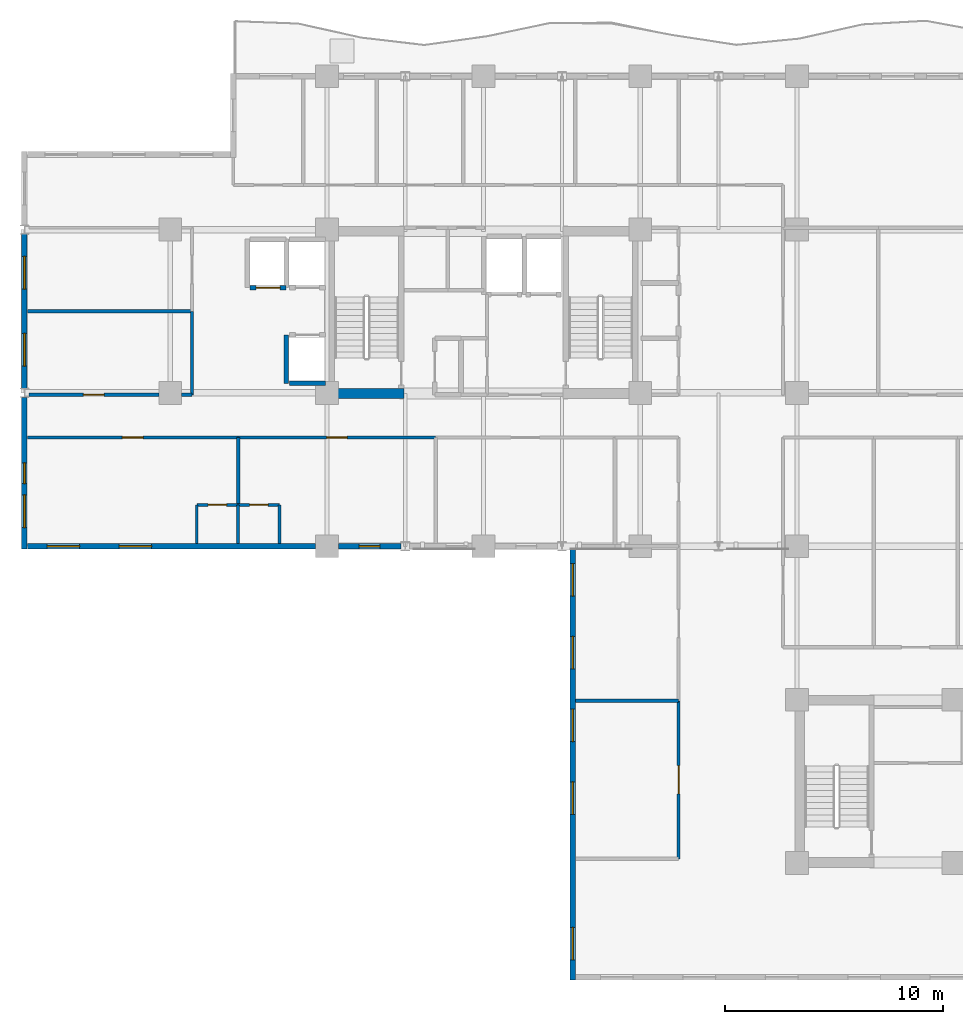
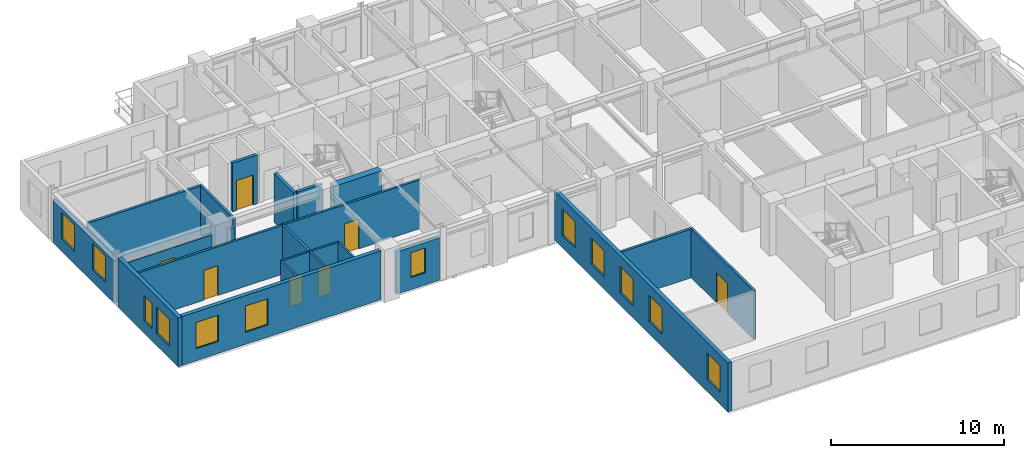
# One storey, part 4 of 13: 23 walls, 12 windows, 7 doors, 19 openings.
"""IFC4 building model written with IfcOpenShell, lengths in metres."""

from ifc_helpers import new_model, si_unit, direction, frame, frame_2d, origin, place, context, subcontext, project, spatial, rectangle, extrude, material, layer, layer_set, type_object, element, fill, save


model = new_model("IFC4")

# Units and contexts
model_context = context("Model", 3, precision=1e-05, world=origin(), true_north=direction((0.0, 1.0)))
body_context = subcontext(model_context, "Body", "Model", "MODEL_VIEW")
ifc_project = project(units=[si_unit("LENGTHUNIT", "METRE"), si_unit("AREAUNIT", "SQUARE_METRE"), si_unit("VOLUMEUNIT", "CUBIC_METRE"), si_unit("PLANEANGLEUNIT", "RADIAN"), si_unit("MASSUNIT", "GRAM", prefix="KILO")], contexts=[model_context])

# Site, building, storey
site_placement = place(None, origin())
site = spatial("IfcSite", under=ifc_project, at=site_placement, CompositionType="ELEMENT")
building_placement = place(site_placement, origin())
building = spatial("IfcBuilding", under=site, at=building_placement, Name="Kaliganga Portal Commons", CompositionType="ELEMENT")
storey_placement = place(building_placement, frame((0.0, 0.0, 173.5)))
storey = spatial("IfcBuildingStorey", under=building, at=storey_placement, Name="L44", CompositionType="ELEMENT", Elevation=173.5)

# Wall
ifc_material_1 = material(Name="Concrete C60/75", Category="concrete")
ifc_layer_1 = layer(ifc_material_1, 0.449951171875)
ifc_layer_set_1 = layer_set([ifc_layer_1], Name="Concrete C60/75")
wall_type_1 = type_object("IfcWallType", Name="WL-CORE-450", PredefinedType="SHEAR", material=ifc_layer_set_1)
wall_1_placement = place(storey_placement, frame((14.75, 28.625, 0.0), z_axis=(0.0, 0.0, 1.0), x_axis=(1.0, 0.0, 0.0)))
element("IfcWall", 1, at=wall_1_placement, inside=storey, type_object=wall_type_1, Name="Core A S-West Shear Wall L44", PredefinedType="SHEAR", context=body_context, shape_type="SweptSolid", body=[
    extrude(rectangle(XDim=3.199951171875, YDim=0.449951171875, at=frame_2d((1.60009765625, 0.0))), origin(), (0.0, 0.0, 1.0), 3.4599609375),
])

# Wall, openings, windows
ifc_material_2 = material(Name="Insulated Aluminium-Clad Spandrel Assembly", Category="aluminium")
ifc_layer_2 = layer(ifc_material_2, 0.260009765625)
ifc_layer_set_2 = layer_set([ifc_layer_2], Name="Insulated Aluminium-Clad Spandrel Assembly")
wall_type_2 = type_object("IfcWallType", Name="WL-EXT-SPAND-260", PredefinedType="STANDARD", material=ifc_layer_set_2)
wall_2_placement = place(storey_placement, frame((0.5, 28.85791015625, 0.0), z_axis=(0.0, 0.0, 1.0), x_axis=(0.0, 1.0, 0.0)))
wall_2 = element("IfcWall", 2, at=wall_2_placement, inside=storey, type_object=wall_type_2, Name="Exterior Envelope Wall L44 P1-E09-S2", PredefinedType="STANDARD", context=body_context, shape_type="SweptSolid", body=[
    extrude(rectangle(XDim=7.083984375, YDim=0.260009765625, at=frame_2d((3.5419921875, 0.0))), origin(), (0.0, 0.0, 1.0), 2.989990234375),
])
opening_1_placement = place(wall_2_placement, frame((1.02099609375, 0.0, 0.85009765625)))
opening_1 = element("IfcOpeningElement", 3, at=opening_1_placement, cuts=wall_2, Name="Opening W-02", PredefinedType="OPENING", context=body_context, shape_type="SweptSolid", body=[
    extrude(rectangle(XDim=1.5, YDim=1.85009765625, at=frame_2d((0.75, 0.925048828125))), frame((0.0, 0.14013671875, 0.0), z_axis=(0.0, -1.0, 0.0), x_axis=(1.0, 0.0, 0.0)), (0.0, 0.0, 1.0), 0.280029296875),
])
opening_2_placement = place(wall_2_placement, frame((4.56298828125, 0.0, 0.85009765625)))
opening_2 = element("IfcOpeningElement", 4, at=opening_2_placement, cuts=wall_2, Name="Opening W-02", PredefinedType="OPENING", context=body_context, shape_type="SweptSolid", body=[
    extrude(rectangle(XDim=1.5, YDim=1.85009765625, at=frame_2d((0.75, 0.925048828125))), frame((0.0, 0.14013671875, 0.0), z_axis=(0.0, -1.0, 0.0), x_axis=(1.0, 0.0, 0.0)), (0.0, 0.0, 1.0), 0.280029296875),
])
ifc_material_3 = material(Name="Thermally Broken Aluminium and Low-E Double Glazing", Category="aluminium")
window_type_1 = type_object("IfcWindowType", Name="WIN-STD-1500", PartitioningType="DOUBLE_PANEL_VERTICAL", PredefinedType="WINDOW", material=ifc_material_3)
window_1_placement = place(opening_1_placement, origin())
window_1 = element("IfcWindow", 5, at=window_1_placement, inside=storey, type_object=window_type_1, Name="Facade Window L44-P1E09S2-00", OverallHeight=1.85009765625, OverallWidth=1.5, PartitioningType="SINGLE_PANEL", PredefinedType="WINDOW", context=body_context, shape_type="SweptSolid", body=[
    extrude(rectangle(XDim=1.5, YDim=1.85009765625, at=frame_2d((0.75, 0.925048828125))), frame((0.0, 0.030029296875, 0.0), z_axis=(0.0, -1.0, 0.0), x_axis=(1.0, 0.0, 0.0)), (0.0, 0.0, 1.0), 0.06005859375),
])
fill(opening_1, window_1)
window_2_placement = place(opening_2_placement, origin())
window_2 = element("IfcWindow", 6, at=window_2_placement, inside=storey, type_object=window_type_1, Name="Facade Window L44-P1E09S2-01", OverallHeight=1.85009765625, OverallWidth=1.5, PartitioningType="SINGLE_PANEL", PredefinedType="WINDOW", context=body_context, shape_type="SweptSolid", body=[
    extrude(rectangle(XDim=1.5, YDim=1.85009765625, at=frame_2d((0.75, 0.925048828125))), frame((0.0, 0.030029296875, 0.0), z_axis=(0.0, -1.0, 0.0), x_axis=(1.0, 0.0, 0.0)), (0.0, 0.0, 1.0), 0.06005859375),
])
fill(opening_2, window_2)

wall_3_placement = place(storey_placement, frame((0.5, 21.469970703125, 0.0), z_axis=(0.0, 0.0, 1.0), x_axis=(0.0, 1.0, 0.0)))
wall_3 = element("IfcWall", 7, at=wall_3_placement, inside=storey, type_object=wall_type_2, Name="Exterior Envelope Wall L44 P1-E09-S3", PredefinedType="STANDARD", context=body_context, shape_type="SweptSolid", body=[
    extrude(rectangle(XDim=6.971923828125, YDim=0.260009765625, at=frame_2d((3.48583984375, 0.0))), origin(), (0.0, 0.0, 1.0), 3.43994140625),
])
opening_3_placement = place(wall_3_placement, frame((0.992919921875, 0.0, 0.85009765625)))
opening_3 = element("IfcOpeningElement", 8, at=opening_3_placement, cuts=wall_3, Name="Opening W-02", PredefinedType="OPENING", context=body_context, shape_type="SweptSolid", body=[
    extrude(rectangle(XDim=1.5, YDim=1.85009765625, at=frame_2d((0.75, 0.925048828125))), frame((0.0, 0.14013671875, 0.0), z_axis=(0.0, -1.0, 0.0), x_axis=(1.0, 0.0, 0.0)), (0.0, 0.0, 1.0), 0.280029296875),
])
opening_4_placement = place(wall_3_placement, frame((3.010986328125, 0.0, 0.85009765625)))
opening_4 = element("IfcOpeningElement", 9, at=opening_4_placement, cuts=wall_3, Name="Opening W-04", PredefinedType="OPENING", context=body_context, shape_type="SweptSolid", body=[
    extrude(rectangle(XDim=0.949951171875, YDim=1.75, at=frame_2d((0.47509765625, 0.875))), frame((0.0, 0.14013671875, 0.0), z_axis=(0.0, -1.0, 0.0), x_axis=(1.0, 0.0, 0.0)), (0.0, 0.0, 1.0), 0.280029296875),
])
window_type_2 = type_object("IfcWindowType", Name="WIN-NARROW-950", PartitioningType="SINGLE_PANEL", PredefinedType="WINDOW", material=ifc_material_3)
window_3_placement = place(opening_4_placement, origin())
window_3 = element("IfcWindow", 10, at=window_3_placement, inside=storey, type_object=window_type_2, Name="Facade Window L44-P1E09S3-N0", OverallHeight=1.75, OverallWidth=0.949951171875, PartitioningType="SINGLE_PANEL", PredefinedType="WINDOW", context=body_context, shape_type="SweptSolid", body=[
    extrude(rectangle(XDim=0.949951171875, YDim=1.75, at=frame_2d((0.47509765625, 0.875))), frame((0.0, 0.030029296875, 0.0), z_axis=(0.0, -1.0, 0.0), x_axis=(1.0, 0.0, 0.0)), (0.0, 0.0, 1.0), 0.06005859375),
])
fill(opening_4, window_3)
window_4_placement = place(opening_3_placement, origin())
window_4 = element("IfcWindow", 11, at=window_4_placement, inside=storey, type_object=window_type_1, Name="Facade Window L44-P1E09S3-00", OverallHeight=1.85009765625, OverallWidth=1.5, PartitioningType="SINGLE_PANEL", PredefinedType="WINDOW", context=body_context, shape_type="SweptSolid", body=[
    extrude(rectangle(XDim=1.5, YDim=1.85009765625, at=frame_2d((0.75, 0.925048828125))), frame((0.0, 0.030029296875, 0.0), z_axis=(0.0, -1.0, 0.0), x_axis=(1.0, 0.0, 0.0)), (0.0, 0.0, 1.0), 0.06005859375),
])
fill(opening_3, window_4)

wall_4_placement = place(storey_placement, frame((13.8740234375, 21.60009765625, 0.0), z_axis=(0.0, 0.0, 1.0), x_axis=(-1.0, 0.0, 0.0)))
wall_4 = element("IfcWall", 12, at=wall_4_placement, inside=storey, type_object=wall_type_2, Name="Exterior Envelope Wall L44 P1-E10-S1", PredefinedType="STANDARD", context=body_context, shape_type="SweptSolid", body=[
    extrude(rectangle(XDim=13.239013671875, YDim=0.260009765625, at=frame_2d((6.61962890625, 0.0))), origin(), (0.0, 0.0, 1.0), 3.43994140625),
])
opening_5_placement = place(wall_4_placement, frame((7.5244140625, 0.0, 0.85009765625)))
opening_5 = element("IfcOpeningElement", 13, at=opening_5_placement, cuts=wall_4, Name="Opening W-02", PredefinedType="OPENING", context=body_context, shape_type="SweptSolid", body=[
    extrude(rectangle(XDim=1.5, YDim=1.85009765625, at=frame_2d((0.75, 0.925048828125))), frame((0.0, 0.14013671875, 0.0), z_axis=(0.0, -1.0, 0.0), x_axis=(1.0, 0.0, 0.0)), (0.0, 0.0, 1.0), 0.280029296875),
])
opening_6_placement = place(wall_4_placement, frame((10.833984375, 0.0, 0.85009765625)))
opening_6 = element("IfcOpeningElement", 14, at=opening_6_placement, cuts=wall_4, Name="Opening W-02", PredefinedType="OPENING", context=body_context, shape_type="SweptSolid", body=[
    extrude(rectangle(XDim=1.5, YDim=1.85009765625, at=frame_2d((0.75, 0.925048828125))), frame((0.0, 0.14013671875, 0.0), z_axis=(0.0, -1.0, 0.0), x_axis=(1.0, 0.0, 0.0)), (0.0, 0.0, 1.0), 0.280029296875),
])
window_5_placement = place(opening_5_placement, origin())
window_5 = element("IfcWindow", 15, at=window_5_placement, inside=storey, type_object=window_type_1, Name="Facade Window L44-P1E10S1-02", OverallHeight=1.85009765625, OverallWidth=1.5, PartitioningType="SINGLE_PANEL", PredefinedType="WINDOW", context=body_context, shape_type="SweptSolid", body=[
    extrude(rectangle(XDim=1.5, YDim=1.85009765625, at=frame_2d((0.75, 0.925048828125))), frame((0.0, 0.030029296875, 0.0), z_axis=(0.0, -1.0, 0.0), x_axis=(1.0, 0.0, 0.0)), (0.0, 0.0, 1.0), 0.06005859375),
])
fill(opening_5, window_5)
window_6_placement = place(opening_6_placement, origin())
window_6 = element("IfcWindow", 16, at=window_6_placement, inside=storey, type_object=window_type_1, Name="Facade Window L44-P1E10S1-03", OverallHeight=1.85009765625, OverallWidth=1.5, PartitioningType="SINGLE_PANEL", PredefinedType="WINDOW", context=body_context, shape_type="SweptSolid", body=[
    extrude(rectangle(XDim=1.5, YDim=1.85009765625, at=frame_2d((0.75, 0.925048828125))), frame((0.0, 0.030029296875, 0.0), z_axis=(0.0, -1.0, 0.0), x_axis=(1.0, 0.0, 0.0)), (0.0, 0.0, 1.0), 0.06005859375),
])
fill(opening_6, window_6)

# Wall, opening, window
wall_5_placement = place(storey_placement, frame((17.797119140625, 21.60009765625, 0.0), z_axis=(0.0, 0.0, 1.0), x_axis=(-1.0, 0.0, 0.0)))
wall_5 = element("IfcWall", 17, at=wall_5_placement, inside=storey, type_object=wall_type_2, Name="Exterior Envelope Wall L44 P1-E10-S2", PredefinedType="STANDARD", context=body_context, shape_type="SweptSolid", body=[
    extrude(rectangle(XDim=2.87109375, YDim=0.260009765625, at=frame_2d((1.435546875, 0.0))), origin(), (0.0, 0.0, 1.0), 2.989990234375),
])
opening_7_placement = place(wall_5_placement, frame((0.96044921875, 0.0, 0.85009765625)))
opening_7 = element("IfcOpeningElement", 18, at=opening_7_placement, cuts=wall_5, Name="Opening W-04", PredefinedType="OPENING", context=body_context, shape_type="SweptSolid", body=[
    extrude(rectangle(XDim=0.949951171875, YDim=1.75, at=frame_2d((0.47509765625, 0.875))), frame((0.0, 0.14013671875, 0.0), z_axis=(0.0, -1.0, 0.0), x_axis=(1.0, 0.0, 0.0)), (0.0, 0.0, 1.0), 0.280029296875),
])
window_7_placement = place(opening_7_placement, origin())
window_7 = element("IfcWindow", 19, at=window_7_placement, inside=storey, type_object=window_type_2, Name="Facade Window L44-P1E10S2-00", OverallHeight=1.75, OverallWidth=0.949951171875, PartitioningType="SINGLE_PANEL", PredefinedType="WINDOW", context=body_context, shape_type="SweptSolid", body=[
    extrude(rectangle(XDim=0.949951171875, YDim=1.75, at=frame_2d((0.47509765625, 0.875))), frame((0.0, 0.030029296875, 0.0), z_axis=(0.0, -1.0, 0.0), x_axis=(1.0, 0.0, 0.0)), (0.0, 0.0, 1.0), 0.06005859375),
])
fill(opening_7, window_7)

# Wall, openings, windows
wall_6_placement = place(storey_placement, frame((25.699951171875, 1.669921875, 0.0), z_axis=(0.0, 0.0, 1.0), x_axis=(0.0, 1.0, 0.0)))
wall_6 = element("IfcWall", 20, at=wall_6_placement, inside=storey, type_object=wall_type_2, Name="Exterior Envelope Wall L44 P1-E11-S1", PredefinedType="STANDARD", context=body_context, shape_type="SweptSolid", body=[
    extrude(rectangle(XDim=20.06005859375, YDim=0.260009765625, at=frame_2d((10.030029296875, 0.0))), origin(), (0.0, 0.0, 1.0), 3.43994140625),
])
opening_8_placement = place(wall_6_placement, frame((0.921630859375, 0.0, 0.85009765625)))
opening_8 = element("IfcOpeningElement", 21, at=opening_8_placement, cuts=wall_6, Name="Opening W-02", PredefinedType="OPENING", context=body_context, shape_type="SweptSolid", body=[
    extrude(rectangle(XDim=1.5, YDim=1.85009765625, at=frame_2d((0.75, 0.925048828125))), frame((0.0, 0.14013671875, 0.0), z_axis=(0.0, -1.0, 0.0), x_axis=(1.0, 0.0, 0.0)), (0.0, 0.0, 1.0), 0.280029296875),
])
opening_9_placement = place(wall_6_placement, frame((7.6083984375, 0.0, 0.85009765625)))
opening_9 = element("IfcOpeningElement", 22, at=opening_9_placement, cuts=wall_6, Name="Opening W-02", PredefinedType="OPENING", context=body_context, shape_type="SweptSolid", body=[
    extrude(rectangle(XDim=1.5, YDim=1.85009765625, at=frame_2d((0.75, 0.925048828125))), frame((0.0, 0.14013671875, 0.0), z_axis=(0.0, -1.0, 0.0), x_axis=(1.0, 0.0, 0.0)), (0.0, 0.0, 1.0), 0.280029296875),
])
opening_10_placement = place(wall_6_placement, frame((10.95166015625, 0.0, 0.85009765625)))
opening_10 = element("IfcOpeningElement", 23, at=opening_10_placement, cuts=wall_6, Name="Opening W-02", PredefinedType="OPENING", context=body_context, shape_type="SweptSolid", body=[
    extrude(rectangle(XDim=1.5, YDim=1.85009765625, at=frame_2d((0.75, 0.925048828125))), frame((0.0, 0.14013671875, 0.0), z_axis=(0.0, -1.0, 0.0), x_axis=(1.0, 0.0, 0.0)), (0.0, 0.0, 1.0), 0.280029296875),
])
opening_11_placement = place(wall_6_placement, frame((14.294921875, 0.0, 0.85009765625)))
opening_11 = element("IfcOpeningElement", 24, at=opening_11_placement, cuts=wall_6, Name="Opening W-02", PredefinedType="OPENING", context=body_context, shape_type="SweptSolid", body=[
    extrude(rectangle(XDim=1.5, YDim=1.85009765625, at=frame_2d((0.75, 0.925048828125))), frame((0.0, 0.14013671875, 0.0), z_axis=(0.0, -1.0, 0.0), x_axis=(1.0, 0.0, 0.0)), (0.0, 0.0, 1.0), 0.280029296875),
])
opening_12_placement = place(wall_6_placement, frame((17.63818359375, 0.0, 0.85009765625)))
opening_12 = element("IfcOpeningElement", 25, at=opening_12_placement, cuts=wall_6, Name="Opening W-02", PredefinedType="OPENING", context=body_context, shape_type="SweptSolid", body=[
    extrude(rectangle(XDim=1.5, YDim=1.85009765625, at=frame_2d((0.75, 0.925048828125))), frame((0.0, 0.14013671875, 0.0), z_axis=(0.0, -1.0, 0.0), x_axis=(1.0, 0.0, 0.0)), (0.0, 0.0, 1.0), 0.280029296875),
])
window_8_placement = place(opening_8_placement, origin())
window_8 = element("IfcWindow", 26, at=window_8_placement, inside=storey, type_object=window_type_1, Name="Facade Window L44-P1E11S1-00", OverallHeight=1.85009765625, OverallWidth=1.5, PartitioningType="SINGLE_PANEL", PredefinedType="WINDOW", context=body_context, shape_type="SweptSolid", body=[
    extrude(rectangle(XDim=1.5, YDim=1.85009765625, at=frame_2d((0.75, 0.925048828125))), frame((0.0, 0.030029296875, 0.0), z_axis=(0.0, -1.0, 0.0), x_axis=(1.0, 0.0, 0.0)), (0.0, 0.0, 1.0), 0.06005859375),
])
fill(opening_8, window_8)
window_9_placement = place(opening_9_placement, origin())
window_9 = element("IfcWindow", 27, at=window_9_placement, inside=storey, type_object=window_type_1, Name="Facade Window L44-P1E11S1-02", OverallHeight=1.85009765625, OverallWidth=1.5, PartitioningType="SINGLE_PANEL", PredefinedType="WINDOW", context=body_context, shape_type="SweptSolid", body=[
    extrude(rectangle(XDim=1.5, YDim=1.85009765625, at=frame_2d((0.75, 0.925048828125))), frame((0.0, 0.030029296875, 0.0), z_axis=(0.0, -1.0, 0.0), x_axis=(1.0, 0.0, 0.0)), (0.0, 0.0, 1.0), 0.06005859375),
])
fill(opening_9, window_9)
window_10_placement = place(opening_10_placement, origin())
window_10 = element("IfcWindow", 28, at=window_10_placement, inside=storey, type_object=window_type_1, Name="Facade Window L44-P1E11S1-03", OverallHeight=1.85009765625, OverallWidth=1.5, PartitioningType="SINGLE_PANEL", PredefinedType="WINDOW", context=body_context, shape_type="SweptSolid", body=[
    extrude(rectangle(XDim=1.5, YDim=1.85009765625, at=frame_2d((0.75, 0.925048828125))), frame((0.0, 0.030029296875, 0.0), z_axis=(0.0, -1.0, 0.0), x_axis=(1.0, 0.0, 0.0)), (0.0, 0.0, 1.0), 0.06005859375),
])
fill(opening_10, window_10)
window_11_placement = place(opening_11_placement, origin())
window_11 = element("IfcWindow", 29, at=window_11_placement, inside=storey, type_object=window_type_1, Name="Facade Window L44-P1E11S1-04", OverallHeight=1.85009765625, OverallWidth=1.5, PartitioningType="SINGLE_PANEL", PredefinedType="WINDOW", context=body_context, shape_type="SweptSolid", body=[
    extrude(rectangle(XDim=1.5, YDim=1.85009765625, at=frame_2d((0.75, 0.925048828125))), frame((0.0, 0.030029296875, 0.0), z_axis=(0.0, -1.0, 0.0), x_axis=(1.0, 0.0, 0.0)), (0.0, 0.0, 1.0), 0.06005859375),
])
fill(opening_11, window_11)
window_12_placement = place(opening_12_placement, origin())
window_12 = element("IfcWindow", 30, at=window_12_placement, inside=storey, type_object=window_type_1, Name="Facade Window L44-P1E11S1-05", OverallHeight=1.85009765625, OverallWidth=1.5, PartitioningType="SINGLE_PANEL", PredefinedType="WINDOW", context=body_context, shape_type="SweptSolid", body=[
    extrude(rectangle(XDim=1.5, YDim=1.85009765625, at=frame_2d((0.75, 0.925048828125))), frame((0.0, 0.030029296875, 0.0), z_axis=(0.0, -1.0, 0.0), x_axis=(1.0, 0.0, 0.0)), (0.0, 0.0, 1.0), 0.06005859375),
])
fill(opening_12, window_12)

# Wall, opening, door
ifc_material_4 = material(Name="Fire-Rated Gypsum Board on Steel Stud", Category="steel")
ifc_layer_3 = layer(ifc_material_4, 0.14990234375)
ifc_layer_set_3 = layer_set([ifc_layer_3], Name="Fire-Rated Gypsum Board on Steel Stud")
wall_type_3 = type_object("IfcWallType", Name="WL-PART-CORR-150", PredefinedType="PARTITIONING", material=ifc_layer_set_3)
wall_7_placement = place(storey_placement, frame((0.632080078125, 26.60009765625, 0.0), z_axis=(0.0, 0.0, 1.0), x_axis=(1.0, 0.0, 0.0)))
wall_7 = element("IfcWall", 31, at=wall_7_placement, inside=storey, type_object=wall_type_3, Name="Interior Partition L44-006", PredefinedType="PARTITIONING", context=body_context, shape_type="SweptSolid", body=[
    extrude(rectangle(XDim=9.68798828125, YDim=0.14990234375, at=frame_2d((4.843994140625, 0.0))), origin(), (0.0, 0.0, 1.0), 3.43994140625),
])
opening_13_placement = place(wall_7_placement, frame((4.368896484375, 0.0, 0.0)))
opening_13 = element("IfcOpeningElement", 32, at=opening_13_placement, cuts=wall_7, Name="Opening UD-01", PredefinedType="OPENING", context=body_context, shape_type="SweptSolid", body=[
    extrude(rectangle(XDim=0.949951171875, YDim=2.10009765625, at=frame_2d((0.47509765625, 1.050048828125))), frame((0.0, 0.0849609375, 0.0), z_axis=(0.0, -1.0, 0.0), x_axis=(1.0, 0.0, 0.0)), (0.0, 0.0, 1.0), 0.169921875),
])
ifc_material_5 = material(Name="Solid-Core Timber Acoustic Fire Door", Category="wood")
door_type_1 = type_object("IfcDoorType", Name="DR-UNIT-950", OperationType="NOTDEFINED", PredefinedType="DOOR", material=ifc_material_5)
door_1_placement = place(opening_13_placement, origin())
door_1 = element("IfcDoor", 33, at=door_1_placement, inside=storey, type_object=door_type_1, Name="Interior Door L44-AS01", OperationType="SINGLE_SWING_LEFT", OverallHeight=2.10009765625, OverallWidth=0.949951171875, PredefinedType="DOOR", context=body_context, shape_type="SweptSolid", body=[
    extrude(rectangle(XDim=0.949951171875, YDim=2.10009765625, at=frame_2d((0.47509765625, 1.050048828125))), frame((0.0, 0.02490234375, 0.0), z_axis=(0.0, -1.0, 0.0), x_axis=(1.0, 0.0, 0.0)), (0.0, 0.0, 1.0), 0.050048828125),
])
fill(opening_13, door_1)

wall_8_placement = place(storey_placement, frame((10.320068359375, 26.60009765625, 0.0), z_axis=(0.0, 0.0, 1.0), x_axis=(1.0, 0.0, 0.0)))
wall_8 = element("IfcWall", 34, at=wall_8_placement, inside=storey, type_object=wall_type_3, Name="Interior Partition L44-008", PredefinedType="PARTITIONING", context=body_context, shape_type="SweptSolid", body=[
    extrude(rectangle(XDim=9.079833984375, YDim=0.14990234375, at=frame_2d((4.5400390625, 0.0))), origin(), (0.0, 0.0, 1.0), 3.43994140625),
])
opening_14_placement = place(wall_8_placement, frame((4.06494140625, 0.0, 0.0)))
opening_14 = element("IfcOpeningElement", 35, at=opening_14_placement, cuts=wall_8, Name="Opening UD-01", PredefinedType="OPENING", context=body_context, shape_type="SweptSolid", body=[
    extrude(rectangle(XDim=0.949951171875, YDim=2.10009765625, at=frame_2d((0.47509765625, 1.050048828125))), frame((0.0, 0.0849609375, 0.0), z_axis=(0.0, -1.0, 0.0), x_axis=(1.0, 0.0, 0.0)), (0.0, 0.0, 1.0), 0.169921875),
])
door_2_placement = place(opening_14_placement, origin())
door_2 = element("IfcDoor", 36, at=door_2_placement, inside=storey, type_object=door_type_1, Name="Interior Door L44-AS02", OperationType="SINGLE_SWING_LEFT", OverallHeight=2.10009765625, OverallWidth=0.949951171875, PredefinedType="DOOR", context=body_context, shape_type="SweptSolid", body=[
    extrude(rectangle(XDim=0.949951171875, YDim=2.10009765625, at=frame_2d((0.47509765625, 1.050048828125))), frame((0.0, 0.02490234375, 0.0), z_axis=(0.0, -1.0, 0.0), x_axis=(1.0, 0.0, 0.0)), (0.0, 0.0, 1.0), 0.050048828125),
])
fill(opening_14, door_2)

wall_9_placement = place(storey_placement, frame((0.701904296875, 28.56005859375, 0.0), z_axis=(0.0, 0.0, 1.0), x_axis=(1.0, 0.0, 0.0)))
wall_9 = element("IfcWall", 37, at=wall_9_placement, inside=storey, type_object=wall_type_3, Name="Interior Partition L44-010", PredefinedType="PARTITIONING", context=body_context, shape_type="SweptSolid", body=[
    extrude(rectangle(XDim=5.97314453125, YDim=0.14990234375, at=frame_2d((2.986572265625, 0.0))), origin(), (0.0, 0.0, 1.0), 2.840087890625),
])
opening_15_placement = place(wall_9_placement, frame((2.511474609375, 0.0, 0.0)))
opening_15 = element("IfcOpeningElement", 38, at=opening_15_placement, cuts=wall_9, Name="Opening UD-01", PredefinedType="OPENING", context=body_context, shape_type="SweptSolid", body=[
    extrude(rectangle(XDim=0.949951171875, YDim=2.10009765625, at=frame_2d((0.47509765625, 1.050048828125))), frame((0.0, 0.0849609375, 0.0), z_axis=(0.0, -1.0, 0.0), x_axis=(1.0, 0.0, 0.0)), (0.0, 0.0, 1.0), 0.169921875),
])
door_3_placement = place(opening_15_placement, origin())
door_3 = element("IfcDoor", 39, at=door_3_placement, inside=storey, type_object=door_type_1, Name="Interior Door L44-AW01", OperationType="SINGLE_SWING_LEFT", OverallHeight=2.10009765625, OverallWidth=0.949951171875, PredefinedType="DOOR", context=body_context, shape_type="SweptSolid", body=[
    extrude(rectangle(XDim=0.949951171875, YDim=2.10009765625, at=frame_2d((0.47509765625, 1.050048828125))), frame((0.0, 0.02490234375, 0.0), z_axis=(0.0, -1.0, 0.0), x_axis=(1.0, 0.0, 0.0)), (0.0, 0.0, 1.0), 0.050048828125),
])
fill(opening_15, door_3)

# Wall
wall_10_placement = place(storey_placement, frame((7.72509765625, 28.56005859375, 0.0), z_axis=(0.0, 0.0, 1.0), x_axis=(1.0, 0.0, 0.0)))
element("IfcWall", 40, at=wall_10_placement, inside=storey, type_object=wall_type_3, Name="Interior Partition L44-011", PredefinedType="PARTITIONING", context=body_context, shape_type="SweptSolid", body=[
    extrude(rectangle(XDim=0.474853515625, YDim=0.14990234375, at=frame_2d((0.2373046875, 0.0))), origin(), (0.0, 0.0, 1.0), 2.840087890625),
])

# Wall, opening, door
wall_11_placement = place(storey_placement, frame((30.56005859375, 7.239990234375, 0.0), z_axis=(0.0, 0.0, 1.0), x_axis=(0.0, 1.0, 0.0)))
wall_11 = element("IfcWall", 41, at=wall_11_placement, inside=storey, type_object=wall_type_3, Name="Interior Partition L44-013", PredefinedType="PARTITIONING", context=body_context, shape_type="SweptSolid", body=[
    extrude(rectangle(XDim=7.260009765625, YDim=0.14990234375, at=frame_2d((3.6298828125, 0.0))), origin(), (0.0, 0.0, 1.0), 3.43994140625),
])
opening_16_placement = place(wall_11_placement, frame((2.97998046875, 0.0, 0.0)))
opening_16 = element("IfcOpeningElement", 42, at=opening_16_placement, cuts=wall_11, Name="Opening RD-03", PredefinedType="OPENING", context=body_context, shape_type="SweptSolid", body=[
    extrude(rectangle(XDim=1.300048828125, YDim=2.1201171875, at=frame_2d((0.64990234375, 1.06005859375))), frame((0.0, 0.0849609375, 0.0), z_axis=(0.0, -1.0, 0.0), x_axis=(1.0, 0.0, 0.0)), (0.0, 0.0, 1.0), 0.169921875),
])
ifc_material_6 = material(Name="Glazed Timber Seminar Vision Door", Category="wood")
door_type_2 = type_object("IfcDoorType", Name="DR-STUDY-1300", OperationType="DOUBLE_DOOR_SINGLE_SWING", PredefinedType="DOOR", material=ifc_material_6)
door_4_placement = place(opening_16_placement, origin())
door_4 = element("IfcDoor", 43, at=door_4_placement, inside=storey, type_object=door_type_2, Name="Interior Door L44-KW01", OperationType="DOUBLE_DOOR_SINGLE_SWING", OverallHeight=2.1201171875, OverallWidth=1.300048828125, PredefinedType="DOOR", context=body_context, shape_type="SweptSolid", body=[
    extrude(rectangle(XDim=1.300048828125, YDim=2.1201171875, at=frame_2d((0.64990234375, 1.06005859375))), frame((0.0, 0.02490234375, 0.0), z_axis=(0.0, -1.0, 0.0), x_axis=(1.0, 0.0, 0.0)), (0.0, 0.0, 1.0), 0.050048828125),
])
fill(opening_16, door_4)

# Walls
wall_12_placement = place(storey_placement, frame((8.199951171875, 28.56005859375, 0.0), z_axis=(0.0, 0.0, 1.0), x_axis=(0.0, 1.0, 0.0)))
element("IfcWall", 44, at=wall_12_placement, inside=storey, type_object=wall_type_3, Name="Interior Partition L44-033", PredefinedType="PARTITIONING", context=body_context, shape_type="SweptSolid", body=[
    extrude(rectangle(XDim=3.83984375, YDim=0.14990234375, at=frame_2d((1.919921875, 0.0))), origin(), (0.0, 0.0, 1.0), 3.43994140625),
])
ifc_material_7 = material(Name="Twin-Stud Acoustic Gypsum Partition", Category="gypsum")
ifc_layer_4 = layer(ifc_material_7, 0.1650390625)
ifc_layer_set_4 = layer_set([ifc_layer_4], Name="Twin-Stud Acoustic Gypsum Partition")
wall_type_4 = type_object("IfcWallType", Name="WL-PART-UNIT-165", PredefinedType="PARTITIONING", material=ifc_layer_set_4)
wall_13_placement = place(storey_placement, frame((0.632080078125, 32.39990234375, 0.0), z_axis=(0.0, 0.0, 1.0), x_axis=(1.0, 0.0, 0.0)))
element("IfcWall", 45, at=wall_13_placement, inside=storey, type_object=wall_type_4, Name="Interior Partition L44-062", PredefinedType="PARTITIONING", context=body_context, shape_type="SweptSolid", body=[
    extrude(rectangle(XDim=7.56787109375, YDim=0.1650390625, at=frame_2d((3.783935546875, 0.0))), origin(), (0.0, 0.0, 1.0), 3.43994140625),
])
wall_14_placement = place(storey_placement, frame((25.83203125, 14.5, 0.0), z_axis=(0.0, 0.0, 1.0), x_axis=(1.0, 0.0, 0.0)))
element("IfcWall", 46, at=wall_14_placement, inside=storey, type_object=wall_type_4, Name="Interior Partition L44-079", PredefinedType="PARTITIONING", context=body_context, shape_type="SweptSolid", body=[
    extrude(rectangle(XDim=4.72802734375, YDim=0.1650390625, at=frame_2d((2.364013671875, 0.0))), origin(), (0.0, 0.0, 1.0), 3.43994140625),
])
wall_15_placement = place(storey_placement, frame((10.320068359375, 23.5, 0.0), z_axis=(0.0, 0.0, 1.0), x_axis=(0.0, 1.0, 0.0)))
element("IfcWall", 47, at=wall_15_placement, inside=storey, type_object=wall_type_4, Name="Interior Partition L44-084", PredefinedType="PARTITIONING", context=body_context, shape_type="SweptSolid", body=[
    extrude(rectangle(XDim=3.10009765625, YDim=0.1650390625, at=frame_2d((1.550048828125, 0.0))), origin(), (0.0, 0.0, 1.0), 3.43994140625),
])

# Wall, opening, door
ifc_material_8 = material(Name="Cement-Board Wet-Room Partition", Category="gypsum")
ifc_layer_5 = layer(ifc_material_8, 0.135009765625)
ifc_layer_set_5 = layer_set([ifc_layer_5], Name="Cement-Board Wet-Room Partition")
wall_type_5 = type_object("IfcWallType", Name="WL-PART-WET-135", PredefinedType="PARTITIONING", material=ifc_layer_set_5)
wall_16_placement = place(storey_placement, frame((8.419921875, 23.5, 0.0), z_axis=(0.0, 0.0, 1.0), x_axis=(1.0, 0.0, 0.0)))
wall_16 = element("IfcWall", 48, at=wall_16_placement, inside=storey, type_object=wall_type_5, Name="Interior Partition L44-001", PredefinedType="PARTITIONING", context=body_context, shape_type="SweptSolid", body=[
    extrude(rectangle(XDim=1.900146484375, YDim=0.135009765625, at=frame_2d((0.9501953125, 0.0))), origin(), (0.0, 0.0, 1.0), 3.43994140625),
])
opening_17_placement = place(wall_16_placement, frame((0.52490234375, 0.0, 0.0)))
opening_17 = element("IfcOpeningElement", 49, at=opening_17_placement, cuts=wall_16, Name="Opening WD-01", PredefinedType="OPENING", context=body_context, shape_type="SweptSolid", body=[
    extrude(rectangle(XDim=0.85009765625, YDim=2.0400390625, at=frame_2d((0.425048828125, 1.02001953125))), frame((0.0, 0.07763671875, 0.0), z_axis=(0.0, -1.0, 0.0), x_axis=(1.0, 0.0, 0.0)), (0.0, 0.0, 1.0), 0.155029296875),
])
ifc_material_9 = material(Name="Moisture-Resistant Laminate Timber Door", Category="wood")
door_type_3 = type_object("IfcDoorType", Name="DR-WET-850", OperationType="NOTDEFINED", PredefinedType="DOOR", material=ifc_material_9)
door_5_placement = place(opening_17_placement, origin())
door_5 = element("IfcDoor", 50, at=door_5_placement, inside=storey, type_object=door_type_3, Name="Interior Door L44-AS01E", OperationType="SINGLE_SWING_LEFT", OverallHeight=2.0400390625, OverallWidth=0.85009765625, PredefinedType="DOOR", context=body_context, shape_type="SweptSolid", body=[
    extrude(rectangle(XDim=0.85009765625, YDim=2.0400390625, at=frame_2d((0.425048828125, 1.02001953125))), frame((0.0, 0.02490234375, 0.0), z_axis=(0.0, -1.0, 0.0), x_axis=(1.0, 0.0, 0.0)), (0.0, 0.0, 1.0), 0.050048828125),
])
fill(opening_17, door_5)

wall_17_placement = place(storey_placement, frame((10.320068359375, 23.5, 0.0), z_axis=(0.0, 0.0, 1.0), x_axis=(1.0, 0.0, 0.0)))
wall_17 = element("IfcWall", 51, at=wall_17_placement, inside=storey, type_object=wall_type_5, Name="Interior Partition L44-002", PredefinedType="PARTITIONING", context=body_context, shape_type="SweptSolid", body=[
    extrude(rectangle(XDim=1.89990234375, YDim=0.135009765625, at=frame_2d((0.949951171875, 0.0))), origin(), (0.0, 0.0, 1.0), 3.43994140625),
])
opening_18_placement = place(wall_17_placement, frame((0.52490234375, 0.0, 0.0)))
opening_18 = element("IfcOpeningElement", 52, at=opening_18_placement, cuts=wall_17, Name="Opening WD-01", PredefinedType="OPENING", context=body_context, shape_type="SweptSolid", body=[
    extrude(rectangle(XDim=0.85009765625, YDim=2.0400390625, at=frame_2d((0.425048828125, 1.02001953125))), frame((0.0, 0.07763671875, 0.0), z_axis=(0.0, -1.0, 0.0), x_axis=(1.0, 0.0, 0.0)), (0.0, 0.0, 1.0), 0.155029296875),
])
door_6_placement = place(opening_18_placement, origin())
door_6 = element("IfcDoor", 53, at=door_6_placement, inside=storey, type_object=door_type_3, Name="Interior Door L44-AS02E", OperationType="SINGLE_SWING_RIGHT", OverallHeight=2.0400390625, OverallWidth=0.85009765625, PredefinedType="DOOR", context=body_context, shape_type="SweptSolid", body=[
    extrude(rectangle(XDim=0.85009765625, YDim=2.0400390625, at=frame_2d((0.425048828125, 1.02001953125))), frame((0.0, 0.02490234375, 0.0), z_axis=(0.0, -1.0, 0.0), x_axis=(1.0, 0.0, 0.0)), (0.0, 0.0, 1.0), 0.050048828125),
])
fill(opening_18, door_6)

# Walls
for number, where, z_axis, x_axis, name in (
    (54, (8.419921875, 21.73193359375, 0.0), (0.0, 0.0, 1.0), (0.0, 1.0, 0.0), "Interior Partition L44-003"),
    (55, (10.320068359375, 21.73193359375, 0.0), (0.0, 0.0, 1.0), (0.0, 1.0, 0.0), "Interior Partition L44-004"),
    (56, (12.219970703125, 21.73193359375, 0.0), (0.0, 0.0, 1.0), (0.0, 1.0, 0.0), "Interior Partition L44-005"),
):
    element("IfcWall", number, at=place(storey_placement, frame(where, z_axis=z_axis, x_axis=x_axis)), inside=storey, type_object=wall_type_5, Name=name, PredefinedType="PARTITIONING", context=body_context, shape_type="SweptSolid", body=[
        extrude(rectangle(XDim=1.76806640625, YDim=0.135009765625, at=frame_2d((0.884033203125, 0.0))), origin(), (0.0, 0.0, 1.0), 3.43994140625),
    ])
ifc_material_10 = material(Name="Fire-Rated Shaftwall Masonry Assembly", Category="masonry")
ifc_layer_6 = layer(ifc_material_10, 0.199951171875)
ifc_layer_set_6 = layer_set([ifc_layer_6], Name="Fire-Rated Shaftwall Masonry Assembly")
wall_type_6 = type_object("IfcWallType", Name="WL-SHAFT-200", PredefinedType="PARTITIONING", material=ifc_layer_set_6)
wall_18_placement = place(storey_placement, frame((12.675048828125, 29.0849609375, 0.0), z_axis=(0.0, 0.0, 1.0), x_axis=(1.0, 0.0, 0.0)))
element("IfcWall", 57, at=wall_18_placement, inside=storey, type_object=wall_type_6, Name="Lift PL-A4 Hoistway Shaft Wall L44-S", PredefinedType="PARTITIONING", context=body_context, shape_type="SweptSolid", body=[
    extrude(rectangle(XDim=1.64990234375, YDim=0.199951171875, at=frame_2d((0.824951171875, 0.0))), origin(), (0.0, 0.0, 1.0), 3.43994140625),
])
wall_19_placement = place(storey_placement, frame((12.534912109375, 29.0849609375, 0.0), z_axis=(0.0, 0.0, 1.0), x_axis=(0.0, 1.0, 0.0)))
element("IfcWall", 58, at=wall_19_placement, inside=storey, type_object=wall_type_6, Name="Lift PL-A4 Hoistway Shaft Wall L44-W", PredefinedType="PARTITIONING", context=body_context, shape_type="SweptSolid", body=[
    extrude(rectangle(XDim=2.22998046875, YDim=0.199951171875, at=frame_2d((1.114990234375, 0.0))), origin(), (0.0, 0.0, 1.0), 3.43994140625),
])

# Wall, opening, door
wall_20_placement = place(storey_placement, frame((10.875, 33.485107421875, 0.0), z_axis=(0.0, 0.0, 1.0), x_axis=(1.0, 0.0, 0.0)))
wall_20 = element("IfcWall", 59, at=wall_20_placement, inside=storey, type_object=wall_type_6, Name="Lift PL-OBS Hoistway Shaft Wall L44-S", PredefinedType="PARTITIONING", context=body_context, shape_type="SweptSolid", body=[
    extrude(rectangle(XDim=1.64990234375, YDim=0.199951171875, at=frame_2d((0.824951171875, 0.0))), origin(), (0.0, 0.0, 1.0), 3.43994140625),
])
opening_19_placement = place(wall_20_placement, frame((0.27490234375, 0.0, 0.0)))
opening_19 = element("IfcOpeningElement", 60, at=opening_19_placement, cuts=wall_20, Name="Opening LD-01", PredefinedType="OPENING", context=body_context, shape_type="SweptSolid", body=[
    extrude(rectangle(XDim=1.10009765625, YDim=2.1201171875, at=frame_2d((0.550048828125, 1.06005859375))), frame((0.0, 0.10986328125, 0.0), z_axis=(0.0, -1.0, 0.0), x_axis=(1.0, 0.0, 0.0)), (0.0, 0.0, 1.0), 0.219970703125),
])
ifc_material_11 = material(Name="Brushed Stainless Steel 316 Lift Landing Door", Category="steel")
door_type_4 = type_object("IfcDoorType", Name="DR-LIFT-1100", OperationType="SLIDING_TO_LEFT", PredefinedType="DOOR", material=ifc_material_11)
door_7_placement = place(opening_19_placement, origin())
door_7 = element("IfcDoor", 61, at=door_7_placement, inside=storey, type_object=door_type_4, Name="Lift PL-OBS Sliding Landing Door L44", OperationType="SLIDING_TO_LEFT", OverallHeight=2.1201171875, OverallWidth=1.10009765625, PredefinedType="DOOR", context=body_context, shape_type="SweptSolid", body=[
    extrude(rectangle(XDim=1.10009765625, YDim=2.1201171875, at=frame_2d((0.550048828125, 1.06005859375))), frame((0.0, 0.02490234375, 0.0), z_axis=(0.0, -1.0, 0.0), x_axis=(1.0, 0.0, 0.0)), (0.0, 0.0, 1.0), 0.050048828125),
])
fill(opening_19, door_7)

save(model, "model.ifc")
